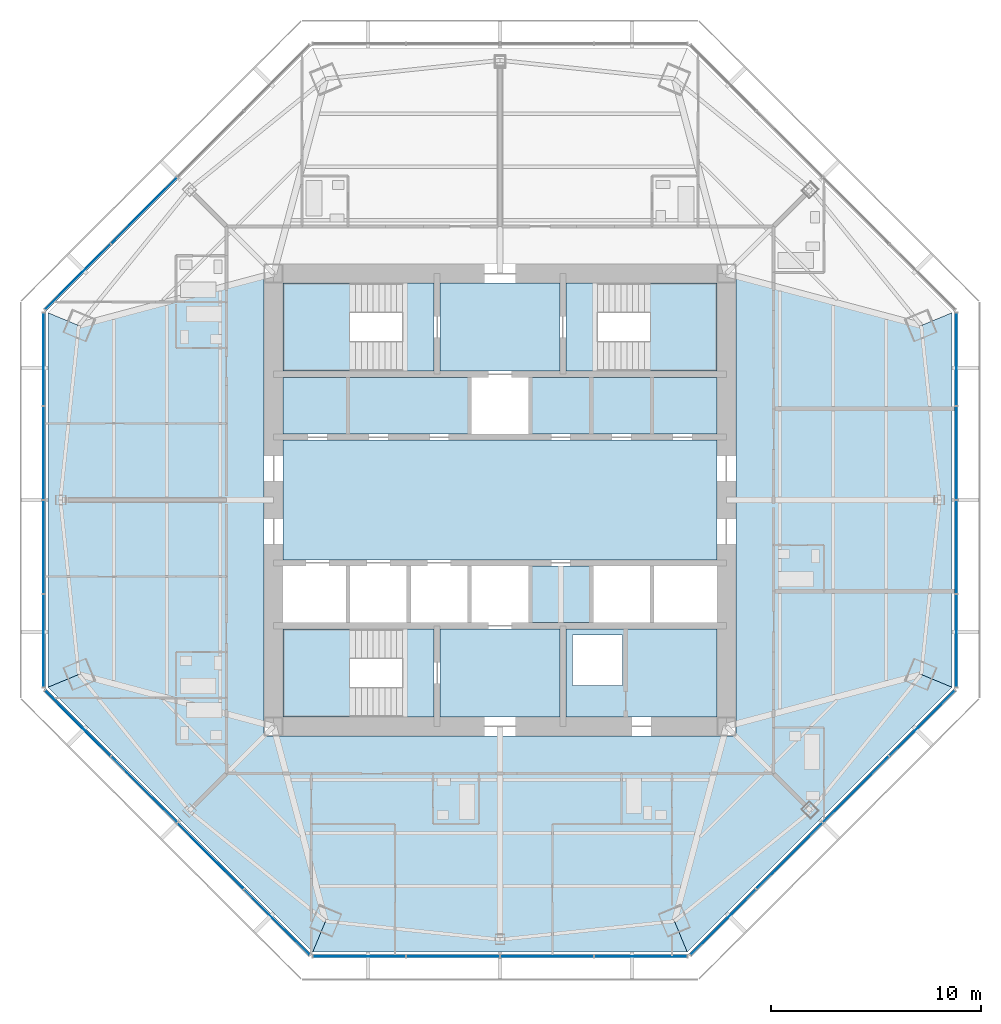
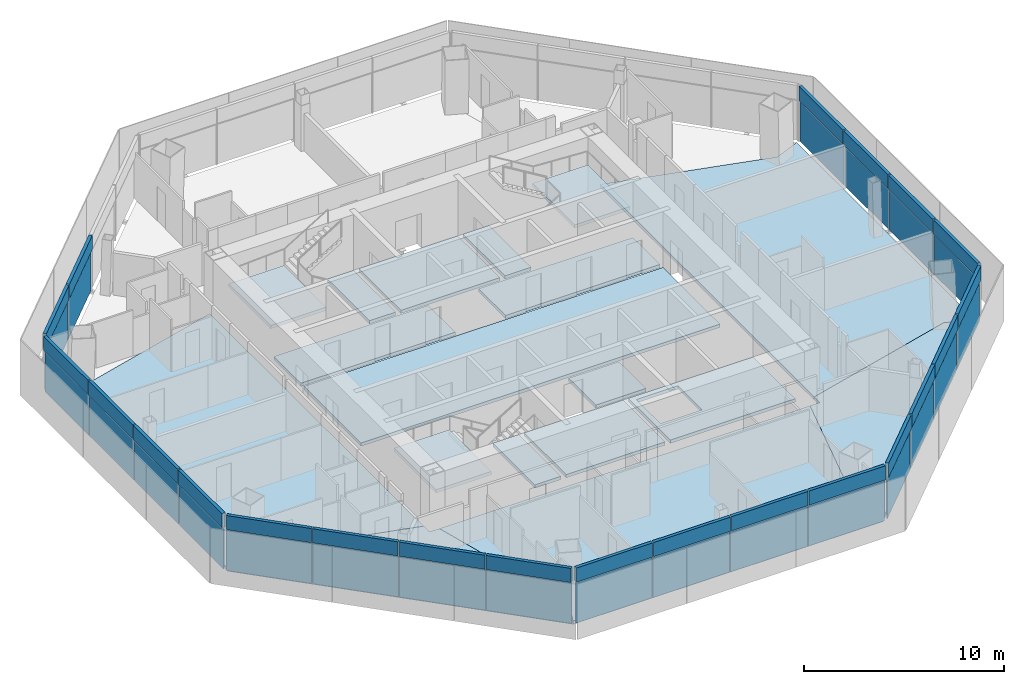
# One storey, part 7 of 15: 44 plates, 18 slabs, 9 elements without a shape of their own.
"""IFC4 building model written with IfcOpenShell, lengths in metres."""

from ifc_helpers import new_model, si_unit, direction, frame, origin, origin_2d, place, context, subcontext, project, spatial, polyline, rectangle, outline, extrude, source, transform, mapped, material, layer, layer_set, type_object, type_shapes, element, aggregate, save


model = new_model("IFC4")

# Units and contexts
model_context = context("Model", 3, precision=1e-05, world=origin(), true_north=direction((0.0, 1.0)))
body_context = subcontext(model_context, "Body", "Model", "MODEL_VIEW")
ifc_project = project(units=[si_unit("LENGTHUNIT", "METRE"), si_unit("AREAUNIT", "SQUARE_METRE"), si_unit("VOLUMEUNIT", "CUBIC_METRE"), si_unit("PLANEANGLEUNIT", "RADIAN"), si_unit("MASSUNIT", "GRAM", prefix="KILO")], contexts=[model_context])

# Site, building, storey
site_placement = place(None, origin())
site = spatial("IfcSite", under=ifc_project, at=site_placement, CompositionType="ELEMENT")
building_placement = place(site_placement, origin())
building = spatial("IfcBuilding", under=site, at=building_placement, Name="Mashrafa Tower", CompositionType="ELEMENT")
storey_placement = place(building_placement, frame((0.0, 0.0, 221.0)))
storey = spatial("IfcBuildingStorey", under=building, at=storey_placement, Name="L51", CompositionType="ELEMENT", Elevation=221.0)

# Slabs
ifc_material_1 = material(Name="Concrete C35/45", Category="concrete")
ifc_layer_1 = layer(ifc_material_1, 0.199951171875)
ifc_layer_set_1 = layer_set([ifc_layer_1], Name="Floor slab 200")
slab_type_1 = type_object("IfcSlabType", Name="Floor slab 200", PredefinedType="FLOOR", material=ifc_layer_set_1)
slab_1_placement = place(storey_placement, frame((0.0, 0.0, -0.199951171875)))
element("IfcSlab", 1, at=slab_1_placement, inside=storey, type_object=slab_type_1, Name="Floor slab L51 east bay", PredefinedType="FLOOR", context=body_context, shape_type="SweptSolid", body=[
    extrude(outline(polyline([(21.56298828125, -8.931640625), (20.09033203125, -8.32177734375), (11.25, -10.679931640625), (11.25, 10.679931640625), (20.09033203125, 8.32177734375), (21.56298828125, 8.931640625), (21.56298828125, -8.931640625)])), origin(), (0.0, 0.0, 1.0), 0.199951171875),
])
slab_2_placement = place(storey_placement, frame((0.0, 0.0, -0.199951171875)))
element("IfcSlab", 2, at=slab_2_placement, inside=storey, type_object=slab_type_1, Name="Floor slab L51 west bay", PredefinedType="FLOOR", context=body_context, shape_type="SweptSolid", body=[
    extrude(outline(polyline([(-21.56298828125, 8.931640625), (-20.09033203125, 8.32177734375), (-11.25, 10.679931640625), (-11.25, -10.679931640625), (-20.09033203125, -8.32177734375), (-21.56298828125, -8.931640625), (-21.56298828125, 8.931640625)])), origin(), (0.0, 0.0, 1.0), 0.199951171875),
])
slab_3_placement = place(storey_placement, frame((0.0, 0.0, -0.199951171875)))
element("IfcSlab", 3, at=slab_3_placement, inside=storey, type_object=slab_type_1, Name="Floor slab L51 south-west bay", PredefinedType="FLOOR", context=body_context, shape_type="SweptSolid", body=[
    extrude(outline(polyline([(-8.931640625, -21.56298828125), (-21.56298828125, -8.931640625), (-21.56298828125, -8.931640625), (-20.09033203125, -8.32177734375), (-11.25, -10.679931640625), (-11.25, -11.25), (-10.679931640625, -11.25), (-8.32177734375, -20.09033203125), (-8.931640625, -21.56298828125), (-8.931640625, -21.56298828125)])), origin(), (0.0, 0.0, 1.0), 0.199951171875),
])
slab_4_placement = place(storey_placement, frame((0.0, 0.0, -0.199951171875)))
element("IfcSlab", 4, at=slab_4_placement, inside=storey, type_object=slab_type_1, Name="Floor slab L51 south bay", PredefinedType="FLOOR", context=body_context, shape_type="SweptSolid", body=[
    extrude(outline(polyline([(-8.931640625, -21.56298828125), (-8.32177734375, -20.09033203125), (-10.679931640625, -11.25), (10.679931640625, -11.25), (8.32177734375, -20.09033203125), (8.931640625, -21.56298828125), (-8.931640625, -21.56298828125)])), origin(), (0.0, 0.0, 1.0), 0.199951171875),
])
slab_5_placement = place(storey_placement, frame((0.0, 0.0, -0.199951171875)))
element("IfcSlab", 5, at=slab_5_placement, inside=storey, type_object=slab_type_1, Name="Floor slab L51 south-east bay", PredefinedType="FLOOR", context=body_context, shape_type="SweptSolid", body=[
    extrude(outline(polyline([(8.931640625, -21.56298828125), (8.32177734375, -20.09033203125), (10.679931640625, -11.25), (11.25, -11.25), (11.25, -10.679931640625), (20.09033203125, -8.32177734375), (21.56298828125, -8.931640625), (21.56298828125, -8.931640625), (8.931640625, -21.56298828125), (8.931640625, -21.56298828125)])), origin(), (0.0, 0.0, 1.0), 0.199951171875),
])
slab_6_placement = place(storey_placement, frame((0.0, 0.0, -0.199951171875)))
element("IfcSlab", 6, at=slab_6_placement, inside=storey, type_object=slab_type_1, Name="Core floor lift hall L51", PredefinedType="FLOOR", context=body_context, shape_type="SweptSolid", body=[
    extrude(outline(polyline([(-10.35009765625, 2.85009765625), (10.35009765625, 2.85009765625), (10.35009765625, -2.85009765625), (-10.35009765625, -2.85009765625), (-10.35009765625, 2.85009765625)])), origin(), (0.0, 0.0, 1.0), 0.199951171875),
])
slab_7_placement = place(storey_placement, frame((0.0, 0.0, -0.199951171875)))
element("IfcSlab", 7, at=slab_7_placement, inside=storey, type_object=slab_type_1, Name="Core floor riser and electrical band L51", PredefinedType="FLOOR", context=body_context, shape_type="SweptSolid", body=[
    extrude(outline(polyline([(10.35009765625, -6.14990234375), (10.35009765625, -10.35009765625), (3.14990234375, -10.35009765625), (3.14990234375, -6.14990234375), (10.35009765625, -6.14990234375)]), holes=[polyline([(3.449951171875, -8.85009765625), (5.85009765625, -8.85009765625), (5.85009765625, -6.449951171875), (3.449951171875, -6.449951171875), (3.449951171875, -8.85009765625)])]), origin(), (0.0, 0.0, 1.0), 0.199951171875),
])
slab_8_placement = place(storey_placement, frame((0.0, 0.0, -0.199951171875)))
element("IfcSlab", 8, at=slab_8_placement, inside=storey, type_object=slab_type_1, Name="Core floor lift cell L51", PredefinedType="FLOOR", context=body_context, shape_type="SweptSolid", body=[
    extrude(outline(polyline([(-10.35009765625, 5.85009765625), (-1.449951171875, 5.85009765625), (-1.449951171875, 3.14990234375), (-10.35009765625, 3.14990234375), (-10.35009765625, 5.85009765625)])), origin(), (0.0, 0.0, 1.0), 0.199951171875),
])
slab_9_placement = place(storey_placement, frame((0.0, 0.0, -0.199951171875)))
element("IfcSlab", 9, at=slab_9_placement, inside=storey, type_object=slab_type_1, Name="Core floor lift cell L51", PredefinedType="FLOOR", context=body_context, shape_type="SweptSolid", body=[
    extrude(outline(polyline([(1.449951171875, 5.85009765625), (10.35009765625, 5.85009765625), (10.35009765625, 3.14990234375), (1.449951171875, 3.14990234375), (1.449951171875, 5.85009765625)])), origin(), (0.0, 0.0, 1.0), 0.199951171875),
])
slab_10_placement = place(storey_placement, frame((0.0, 0.0, -0.199951171875)))
element("IfcSlab", 10, at=slab_10_placement, inside=storey, type_object=slab_type_1, Name="Core floor fire-fighting lobby south L51", PredefinedType="FLOOR", context=body_context, shape_type="SweptSolid", body=[
    extrude(outline(polyline([(2.85009765625, -6.14990234375), (2.85009765625, -10.35009765625), (-2.85009765625, -10.35009765625), (-2.85009765625, -6.14990234375), (2.85009765625, -6.14990234375)])), origin(), (0.0, 0.0, 1.0), 0.199951171875),
])
slab_11_placement = place(storey_placement, frame((0.0, 0.0, -0.199951171875)))
element("IfcSlab", 11, at=slab_11_placement, inside=storey, type_object=slab_type_1, Name="Core floor fire-fighting lobby north L51", PredefinedType="FLOOR", context=body_context, shape_type="SweptSolid", body=[
    extrude(outline(polyline([(-2.85009765625, 10.35009765625), (2.85009765625, 10.35009765625), (2.85009765625, 6.14990234375), (-2.85009765625, 6.14990234375), (-2.85009765625, 10.35009765625)])), origin(), (0.0, 0.0, 1.0), 0.199951171875),
])
slab_12_placement = place(storey_placement, frame((0.0, 0.0, -0.199951171875)))
element("IfcSlab", 12, at=slab_12_placement, inside=storey, type_object=slab_type_1, Name="Core floor lift cell L51", PredefinedType="FLOOR", context=body_context, shape_type="SweptSolid", body=[
    extrude(outline(polyline([(4.35009765625, -3.14990234375), (4.35009765625, -5.85009765625), (1.449951171875, -5.85009765625), (1.449951171875, -3.14990234375), (4.35009765625, -3.14990234375)])), origin(), (0.0, 0.0, 1.0), 0.199951171875),
])

# Stair, slabs
ifc_material_2 = material(Name="Exit stair 1400")
stair_type = type_object("IfcStairType", Name="Exit stair 1400", PredefinedType="HALF_TURN_STAIR", material=ifc_material_2)
stair_1_placement = place(storey_placement, origin())
stair_1 = element("IfcStair", 13, at=stair_1_placement, inside=storey, type_object=stair_type, Name="Stair S1 L51", PredefinedType="HALF_TURN_STAIR")
ifc_material_3 = material(Name="Concrete C32/40", Category="concrete")
ifc_layer_2 = layer(ifc_material_3, 0.199951171875)
ifc_layer_set_2 = layer_set([ifc_layer_2], Name="Stair landing 200")
slab_type_2 = type_object("IfcSlabType", Name="Stair landing 200", PredefinedType="LANDING", material=ifc_layer_set_2)
slab_13_placement = place(storey_placement, frame((0.0, 0.0, -0.199951171875)))
slab_13 = element("IfcSlab", 14, at=slab_13_placement, type_object=slab_type_2, Name="S1 landing 1", PredefinedType="LANDING", context=body_context, shape_type="SweptSolid", body=[
    extrude(outline(polyline([(-4.659912109375, 6.14990234375), (-3.14990234375, 6.14990234375), (-3.14990234375, 10.35009765625), (-4.659912109375, 10.35009765625), (-4.659912109375, 6.14990234375)])), origin(), (0.0, 0.0, 1.0), 0.199951171875),
])
slab_14_placement = place(storey_placement, frame((0.0, 0.0, 1.5)))
slab_14 = element("IfcSlab", 15, at=slab_14_placement, type_object=slab_type_2, Name="S1 landing 2", PredefinedType="LANDING", context=body_context, shape_type="SweptSolid", body=[
    extrude(outline(polyline([(-10.35009765625, 6.14990234375), (-7.159912109375, 6.14990234375), (-7.159912109375, 10.35009765625), (-10.35009765625, 10.35009765625), (-10.35009765625, 6.14990234375)])), origin(), (0.0, 0.0, 1.0), 0.199951171875),
])
aggregate(stair_1, [slab_13, slab_14])

stair_2_placement = place(storey_placement, origin())
stair_2 = element("IfcStair", 16, at=stair_2_placement, inside=storey, type_object=stair_type, Name="Stair S2 L51", PredefinedType="HALF_TURN_STAIR")
slab_15_placement = place(storey_placement, frame((0.0, 0.0, -0.199951171875)))
slab_15 = element("IfcSlab", 17, at=slab_15_placement, type_object=slab_type_2, Name="S2 landing 1", PredefinedType="LANDING", context=body_context, shape_type="SweptSolid", body=[
    extrude(outline(polyline([(3.14990234375, 6.14990234375), (4.659912109375, 6.14990234375), (4.659912109375, 10.35009765625), (3.14990234375, 10.35009765625), (3.14990234375, 6.14990234375)])), origin(), (0.0, 0.0, 1.0), 0.199951171875),
])
slab_16_placement = place(storey_placement, frame((0.0, 0.0, 1.5)))
slab_16 = element("IfcSlab", 18, at=slab_16_placement, type_object=slab_type_2, Name="S2 landing 2", PredefinedType="LANDING", context=body_context, shape_type="SweptSolid", body=[
    extrude(outline(polyline([(7.159912109375, 6.14990234375), (10.35009765625, 6.14990234375), (10.35009765625, 10.35009765625), (7.159912109375, 10.35009765625), (7.159912109375, 6.14990234375)])), origin(), (0.0, 0.0, 1.0), 0.199951171875),
])
aggregate(stair_2, [slab_15, slab_16])

stair_3_placement = place(storey_placement, origin())
stair_3 = element("IfcStair", 19, at=stair_3_placement, inside=storey, type_object=stair_type, Name="Stair S3 L51", PredefinedType="HALF_TURN_STAIR")
slab_17_placement = place(storey_placement, frame((0.0, 0.0, -0.199951171875)))
slab_17 = element("IfcSlab", 20, at=slab_17_placement, type_object=slab_type_2, Name="S3 landing 1", PredefinedType="LANDING", context=body_context, shape_type="SweptSolid", body=[
    extrude(outline(polyline([(-4.659912109375, -10.35009765625), (-3.14990234375, -10.35009765625), (-3.14990234375, -6.14990234375), (-4.659912109375, -6.14990234375), (-4.659912109375, -10.35009765625)])), origin(), (0.0, 0.0, 1.0), 0.199951171875),
])
slab_18_placement = place(storey_placement, frame((0.0, 0.0, 1.5)))
slab_18 = element("IfcSlab", 21, at=slab_18_placement, type_object=slab_type_2, Name="S3 landing 2", PredefinedType="LANDING", context=body_context, shape_type="SweptSolid", body=[
    extrude(outline(polyline([(-10.35009765625, -10.35009765625), (-7.159912109375, -10.35009765625), (-7.159912109375, -6.14990234375), (-10.35009765625, -6.14990234375), (-10.35009765625, -10.35009765625)])), origin(), (0.0, 0.0, 1.0), 0.199951171875),
])
aggregate(stair_3, [slab_17, slab_18])

# Curtain wall, plates
ifc_material_4 = material(Name="Unitised aluminium curtain wall", Category="aluminium")
curtain_wall_type = type_object("IfcCurtainWallType", Name="Apartment curtain wall, zone 3 CW-C 180 deep", PredefinedType="NOTDEFINED", material=ifc_material_4)
curtain_wall_1_placement = place(storey_placement, origin())
curtain_wall_1 = element("IfcCurtainWall", 22, at=curtain_wall_1_placement, inside=storey, type_object=curtain_wall_type, Name="Apartment curtain wall, zone 3 L51 east", PredefinedType="NOTDEFINED")
ifc_material_5 = material(Name="Insulated double glazing, acoustic", Category="glass")
ifc_layer_3 = layer(ifc_material_5, 0.028076171875)
ifc_layer_set_3 = layer_set([ifc_layer_3], Name="Vision panel CW-C 28")
plate_type_1 = type_object("IfcPlateType", Name="Vision panel CW-C 28", PredefinedType="CURTAIN_PANEL", material=ifc_layer_set_3)
shared_shape_1 = source(origin(), body_context, "Body", "SweptSolid", [
    extrude(rectangle(XDim=4.3935546875, YDim=0.028076171875, at=origin_2d()), origin(), (0.0, 0.0, 1.0), 2.46240234375),
])
plate_1_placement = place(storey_placement, frame((21.762939453125, -6.71044921875, 0.0), z_axis=(0.0, 0.0, 1.0), x_axis=(0.0, 1.0, 0.0)))
plate_1 = element("IfcPlate", 23, at=plate_1_placement, type_object=plate_type_1, Name="CW-C vision panel 1", PredefinedType="CURTAIN_PANEL", context=body_context, shape_type="MappedRepresentation", body=[
    mapped(shared_shape_1, transform((0.0, 0.0, 0.0))),
])
plate_2_placement = place(storey_placement, frame((21.762939453125, 6.71044921875, 0.0), z_axis=(0.0, 0.0, 1.0), x_axis=(0.0, 1.0, 0.0)))
plate_2 = element("IfcPlate", 24, at=plate_2_placement, type_object=plate_type_1, Name="CW-C vision panel 4", PredefinedType="CURTAIN_PANEL", context=body_context, shape_type="MappedRepresentation", body=[
    mapped(shared_shape_1, transform((0.0, 0.0, 0.0))),
])

# Curtain wall, plate
curtain_wall_2_placement = place(storey_placement, origin())
curtain_wall_2 = element("IfcCurtainWall", 25, at=curtain_wall_2_placement, inside=storey, type_object=curtain_wall_type, Name="Apartment curtain wall, zone 3 L51 north-west", PredefinedType="NOTDEFINED")
plate_3_placement = place(storey_placement, frame((-20.1337890625, 10.643798828125, 0.0), z_axis=(0.0, 0.0, 1.0), x_axis=(-0.707106781187, -0.707106781187, 0.0)))
plate_3 = element("IfcPlate", 26, at=plate_3_placement, type_object=plate_type_1, Name="CW-C vision panel 4", PredefinedType="CURTAIN_PANEL", context=body_context, shape_type="MappedRepresentation", body=[
    mapped(shared_shape_1, transform((0.0, 0.0, 0.0))),
])

# Curtain wall, plates
curtain_wall_3_placement = place(storey_placement, origin())
curtain_wall_3 = element("IfcCurtainWall", 27, at=curtain_wall_3_placement, inside=storey, type_object=curtain_wall_type, Name="Apartment curtain wall, zone 3 L51 west", PredefinedType="NOTDEFINED")
plate_4_placement = place(storey_placement, frame((-21.762939453125, 6.71044921875, 0.0), z_axis=(0.0, 0.0, 1.0), x_axis=(0.0, -1.0, 0.0)))
plate_4 = element("IfcPlate", 28, at=plate_4_placement, type_object=plate_type_1, Name="CW-C vision panel 1", PredefinedType="CURTAIN_PANEL", context=body_context, shape_type="MappedRepresentation", body=[
    mapped(shared_shape_1, transform((0.0, 0.0, 0.0))),
])
plate_5_placement = place(storey_placement, frame((-21.762939453125, -6.71044921875, 0.0), z_axis=(0.0, 0.0, 1.0), x_axis=(0.0, -1.0, 0.0)))
plate_5 = element("IfcPlate", 29, at=plate_5_placement, type_object=plate_type_1, Name="CW-C vision panel 4", PredefinedType="CURTAIN_PANEL", context=body_context, shape_type="MappedRepresentation", body=[
    mapped(shared_shape_1, transform((0.0, 0.0, 0.0))),
])

curtain_wall_4_placement = place(storey_placement, origin())
curtain_wall_4 = element("IfcCurtainWall", 30, at=curtain_wall_4_placement, inside=storey, type_object=curtain_wall_type, Name="Apartment curtain wall, zone 3 L51 south-west", PredefinedType="NOTDEFINED")
plate_6_placement = place(storey_placement, frame((-20.1337890625, -10.643798828125, 0.0), z_axis=(0.0, 0.0, 1.0), x_axis=(0.707106781187, -0.707106781187, 0.0)))
plate_6 = element("IfcPlate", 31, at=plate_6_placement, type_object=plate_type_1, Name="CW-C vision panel 1", PredefinedType="CURTAIN_PANEL", context=body_context, shape_type="MappedRepresentation", body=[
    mapped(shared_shape_1, transform((0.0, 0.0, 0.0))),
])
plate_7_placement = place(storey_placement, frame((-10.643798828125, -20.1337890625, 0.0), z_axis=(0.0, 0.0, 1.0), x_axis=(0.707106781187, -0.707106781187, 0.0)))
plate_7 = element("IfcPlate", 32, at=plate_7_placement, type_object=plate_type_1, Name="CW-C vision panel 4", PredefinedType="CURTAIN_PANEL", context=body_context, shape_type="MappedRepresentation", body=[
    mapped(shared_shape_1, transform((0.0, 0.0, 0.0))),
])

curtain_wall_5_placement = place(storey_placement, origin())
curtain_wall_5 = element("IfcCurtainWall", 33, at=curtain_wall_5_placement, inside=storey, type_object=curtain_wall_type, Name="Apartment curtain wall, zone 3 L51 south", PredefinedType="NOTDEFINED")
plate_8_placement = place(storey_placement, frame((-6.71044921875, -21.762939453125, 0.0), z_axis=(0.0, 0.0, 1.0), x_axis=(1.0, 0.0, 0.0)))
plate_8 = element("IfcPlate", 34, at=plate_8_placement, type_object=plate_type_1, Name="CW-C vision panel 1", PredefinedType="CURTAIN_PANEL", context=body_context, shape_type="MappedRepresentation", body=[
    mapped(shared_shape_1, transform((0.0, 0.0, 0.0))),
])
plate_9_placement = place(storey_placement, frame((6.71044921875, -21.762939453125, 0.0), z_axis=(0.0, 0.0, 1.0), x_axis=(1.0, 0.0, 0.0)))
plate_9 = element("IfcPlate", 35, at=plate_9_placement, type_object=plate_type_1, Name="CW-C vision panel 4", PredefinedType="CURTAIN_PANEL", context=body_context, shape_type="MappedRepresentation", body=[
    mapped(shared_shape_1, transform((0.0, 0.0, 0.0))),
])

curtain_wall_6_placement = place(storey_placement, origin())
curtain_wall_6 = element("IfcCurtainWall", 36, at=curtain_wall_6_placement, inside=storey, type_object=curtain_wall_type, Name="Apartment curtain wall, zone 3 L51 south-east", PredefinedType="NOTDEFINED")
plate_10_placement = place(storey_placement, frame((10.643798828125, -20.1337890625, 0.0), z_axis=(0.0, 0.0, 1.0), x_axis=(0.707106781187, 0.707106781187, 0.0)))
plate_10 = element("IfcPlate", 37, at=plate_10_placement, type_object=plate_type_1, Name="CW-C vision panel 1", PredefinedType="CURTAIN_PANEL", context=body_context, shape_type="MappedRepresentation", body=[
    mapped(shared_shape_1, transform((0.0, 0.0, 0.0))),
])
plate_11_placement = place(storey_placement, frame((20.1337890625, -10.643798828125, 0.0), z_axis=(0.0, 0.0, 1.0), x_axis=(0.707106781187, 0.707106781187, 0.0)))
plate_11 = element("IfcPlate", 38, at=plate_11_placement, type_object=plate_type_1, Name="CW-C vision panel 4", PredefinedType="CURTAIN_PANEL", context=body_context, shape_type="MappedRepresentation", body=[
    mapped(shared_shape_1, transform((0.0, 0.0, 0.0))),
])

# Plate
ifc_material_6 = material(Name="Insulated bronze aluminium spandrel panel", Category="aluminium")
ifc_layer_4 = layer(ifc_material_6, 0.179931640625)
ifc_layer_set_4 = layer_set([ifc_layer_4], Name="Spandrel panel CW-C 180")
plate_type_2 = type_object("IfcPlateType", Name="Spandrel panel CW-C 180", PredefinedType="CURTAIN_PANEL", material=ifc_layer_set_4)
shared_shape_2 = source(origin(), body_context, "Body", "SweptSolid", [
    extrude(rectangle(XDim=4.3935546875, YDim=0.179931640625, at=origin_2d()), origin(), (0.0, 0.0, 1.0), 0.862548828125),
])
plate_12_placement = place(storey_placement, frame((21.762939453125, -6.71044921875, 2.53759765625), z_axis=(0.0, 0.0, 1.0), x_axis=(0.0, 1.0, 0.0)))
plate_12 = element("IfcPlate", 39, at=plate_12_placement, type_object=plate_type_2, Name="CW-C spandrel panel 1", PredefinedType="CURTAIN_PANEL", context=body_context, shape_type="MappedRepresentation", body=[
    mapped(shared_shape_2, transform((0.0, 0.0, 0.0))),
])

plate_13_placement = place(storey_placement, frame((21.762939453125, 6.71044921875, 2.53759765625), z_axis=(0.0, 0.0, 1.0), x_axis=(0.0, 1.0, 0.0)))
plate_13 = element("IfcPlate", 40, at=plate_13_placement, type_object=plate_type_2, Name="CW-C spandrel panel 4", PredefinedType="CURTAIN_PANEL", context=body_context, shape_type="MappedRepresentation", body=[
    mapped(shared_shape_2, transform((0.0, 0.0, 0.0))),
])

plate_14_placement = place(storey_placement, frame((-20.1337890625, 10.643798828125, 2.53759765625), z_axis=(0.0, 0.0, 1.0), x_axis=(-0.707106781187, -0.707106781187, 0.0)))
plate_14 = element("IfcPlate", 41, at=plate_14_placement, type_object=plate_type_2, Name="CW-C spandrel panel 4", PredefinedType="CURTAIN_PANEL", context=body_context, shape_type="MappedRepresentation", body=[
    mapped(shared_shape_2, transform((0.0, 0.0, 0.0))),
])

plate_15_placement = place(storey_placement, frame((-21.762939453125, 6.71044921875, 2.53759765625), z_axis=(0.0, 0.0, 1.0), x_axis=(0.0, -1.0, 0.0)))
plate_15 = element("IfcPlate", 42, at=plate_15_placement, type_object=plate_type_2, Name="CW-C spandrel panel 1", PredefinedType="CURTAIN_PANEL", context=body_context, shape_type="MappedRepresentation", body=[
    mapped(shared_shape_2, transform((0.0, 0.0, 0.0))),
])

plate_16_placement = place(storey_placement, frame((-21.762939453125, -6.71044921875, 2.53759765625), z_axis=(0.0, 0.0, 1.0), x_axis=(0.0, -1.0, 0.0)))
plate_16 = element("IfcPlate", 43, at=plate_16_placement, type_object=plate_type_2, Name="CW-C spandrel panel 4", PredefinedType="CURTAIN_PANEL", context=body_context, shape_type="MappedRepresentation", body=[
    mapped(shared_shape_2, transform((0.0, 0.0, 0.0))),
])

plate_17_placement = place(storey_placement, frame((-20.1337890625, -10.643798828125, 2.53759765625), z_axis=(0.0, 0.0, 1.0), x_axis=(0.707106781187, -0.707106781187, 0.0)))
plate_17 = element("IfcPlate", 44, at=plate_17_placement, type_object=plate_type_2, Name="CW-C spandrel panel 1", PredefinedType="CURTAIN_PANEL", context=body_context, shape_type="MappedRepresentation", body=[
    mapped(shared_shape_2, transform((0.0, 0.0, 0.0))),
])

plate_18_placement = place(storey_placement, frame((-10.643798828125, -20.1337890625, 2.53759765625), z_axis=(0.0, 0.0, 1.0), x_axis=(0.707106781187, -0.707106781187, 0.0)))
plate_18 = element("IfcPlate", 45, at=plate_18_placement, type_object=plate_type_2, Name="CW-C spandrel panel 4", PredefinedType="CURTAIN_PANEL", context=body_context, shape_type="MappedRepresentation", body=[
    mapped(shared_shape_2, transform((0.0, 0.0, 0.0))),
])

plate_19_placement = place(storey_placement, frame((-6.71044921875, -21.762939453125, 2.53759765625), z_axis=(0.0, 0.0, 1.0), x_axis=(1.0, 0.0, 0.0)))
plate_19 = element("IfcPlate", 46, at=plate_19_placement, type_object=plate_type_2, Name="CW-C spandrel panel 1", PredefinedType="CURTAIN_PANEL", context=body_context, shape_type="MappedRepresentation", body=[
    mapped(shared_shape_2, transform((0.0, 0.0, 0.0))),
])

plate_20_placement = place(storey_placement, frame((6.71044921875, -21.762939453125, 2.53759765625), z_axis=(0.0, 0.0, 1.0), x_axis=(1.0, 0.0, 0.0)))
plate_20 = element("IfcPlate", 47, at=plate_20_placement, type_object=plate_type_2, Name="CW-C spandrel panel 4", PredefinedType="CURTAIN_PANEL", context=body_context, shape_type="MappedRepresentation", body=[
    mapped(shared_shape_2, transform((0.0, 0.0, 0.0))),
])

plate_21_placement = place(storey_placement, frame((10.643798828125, -20.1337890625, 2.53759765625), z_axis=(0.0, 0.0, 1.0), x_axis=(0.707106781187, 0.707106781187, 0.0)))
plate_21 = element("IfcPlate", 48, at=plate_21_placement, type_object=plate_type_2, Name="CW-C spandrel panel 1", PredefinedType="CURTAIN_PANEL", context=body_context, shape_type="MappedRepresentation", body=[
    mapped(shared_shape_2, transform((0.0, 0.0, 0.0))),
])

plate_22_placement = place(storey_placement, frame((20.1337890625, -10.643798828125, 2.53759765625), z_axis=(0.0, 0.0, 1.0), x_axis=(0.707106781187, 0.707106781187, 0.0)))
plate_22 = element("IfcPlate", 49, at=plate_22_placement, type_object=plate_type_2, Name="CW-C spandrel panel 4", PredefinedType="CURTAIN_PANEL", context=body_context, shape_type="MappedRepresentation", body=[
    mapped(shared_shape_2, transform((0.0, 0.0, 0.0))),
])

shared_shape_3 = source(origin(), body_context, "Body", "SweptSolid", [
    extrude(rectangle(XDim=4.423583984375, YDim=0.028076171875, at=origin_2d()), origin(), (0.0, 0.0, 1.0), 2.46240234375),
])
type_shapes(plate_type_1, [shared_shape_1, shared_shape_3])
plate_23_placement = place(storey_placement, frame((21.762939453125, -2.24169921875, 0.0), z_axis=(0.0, 0.0, 1.0), x_axis=(0.0, 1.0, 0.0)))
plate_23 = element("IfcPlate", 50, at=plate_23_placement, type_object=plate_type_1, Name="CW-C vision panel 2", PredefinedType="CURTAIN_PANEL", context=body_context, shape_type="MappedRepresentation", body=[
    mapped(shared_shape_3, transform((0.0, 0.0, 0.0))),
])

plate_24_placement = place(storey_placement, frame((21.762939453125, 2.24169921875, 0.0), z_axis=(0.0, 0.0, 1.0), x_axis=(0.0, 1.0, 0.0)))
plate_24 = element("IfcPlate", 51, at=plate_24_placement, type_object=plate_type_1, Name="CW-C vision panel 3", PredefinedType="CURTAIN_PANEL", context=body_context, shape_type="MappedRepresentation", body=[
    mapped(shared_shape_3, transform((0.0, 0.0, 0.0))),
])

plate_25_placement = place(storey_placement, frame((-16.973876953125, 13.803466796875, 0.0), z_axis=(0.0, 0.0, 1.0), x_axis=(-0.707106781187, -0.707106781187, 0.0)))
plate_25 = element("IfcPlate", 52, at=plate_25_placement, type_object=plate_type_1, Name="CW-C vision panel 3", PredefinedType="CURTAIN_PANEL", context=body_context, shape_type="MappedRepresentation", body=[
    mapped(shared_shape_3, transform((0.0, 0.0, 0.0))),
])

plate_26_placement = place(storey_placement, frame((-21.762939453125, 2.24169921875, 0.0), z_axis=(0.0, 0.0, 1.0), x_axis=(0.0, -1.0, 0.0)))
plate_26 = element("IfcPlate", 53, at=plate_26_placement, type_object=plate_type_1, Name="CW-C vision panel 2", PredefinedType="CURTAIN_PANEL", context=body_context, shape_type="MappedRepresentation", body=[
    mapped(shared_shape_3, transform((0.0, 0.0, 0.0))),
])

plate_27_placement = place(storey_placement, frame((-21.762939453125, -2.24169921875, 0.0), z_axis=(0.0, 0.0, 1.0), x_axis=(0.0, -1.0, 0.0)))
plate_27 = element("IfcPlate", 54, at=plate_27_placement, type_object=plate_type_1, Name="CW-C vision panel 3", PredefinedType="CURTAIN_PANEL", context=body_context, shape_type="MappedRepresentation", body=[
    mapped(shared_shape_3, transform((0.0, 0.0, 0.0))),
])

plate_28_placement = place(storey_placement, frame((-16.973876953125, -13.803466796875, 0.0), z_axis=(0.0, 0.0, 1.0), x_axis=(0.707106781187, -0.707106781187, 0.0)))
plate_28 = element("IfcPlate", 55, at=plate_28_placement, type_object=plate_type_1, Name="CW-C vision panel 2", PredefinedType="CURTAIN_PANEL", context=body_context, shape_type="MappedRepresentation", body=[
    mapped(shared_shape_3, transform((0.0, 0.0, 0.0))),
])

plate_29_placement = place(storey_placement, frame((-13.803466796875, -16.973876953125, 0.0), z_axis=(0.0, 0.0, 1.0), x_axis=(0.707106781187, -0.707106781187, 0.0)))
plate_29 = element("IfcPlate", 56, at=plate_29_placement, type_object=plate_type_1, Name="CW-C vision panel 3", PredefinedType="CURTAIN_PANEL", context=body_context, shape_type="MappedRepresentation", body=[
    mapped(shared_shape_3, transform((0.0, 0.0, 0.0))),
])

plate_30_placement = place(storey_placement, frame((-2.24169921875, -21.762939453125, 0.0), z_axis=(0.0, 0.0, 1.0), x_axis=(1.0, 0.0, 0.0)))
plate_30 = element("IfcPlate", 57, at=plate_30_placement, type_object=plate_type_1, Name="CW-C vision panel 2", PredefinedType="CURTAIN_PANEL", context=body_context, shape_type="MappedRepresentation", body=[
    mapped(shared_shape_3, transform((0.0, 0.0, 0.0))),
])

plate_31_placement = place(storey_placement, frame((2.24169921875, -21.762939453125, 0.0), z_axis=(0.0, 0.0, 1.0), x_axis=(1.0, 0.0, 0.0)))
plate_31 = element("IfcPlate", 58, at=plate_31_placement, type_object=plate_type_1, Name="CW-C vision panel 3", PredefinedType="CURTAIN_PANEL", context=body_context, shape_type="MappedRepresentation", body=[
    mapped(shared_shape_3, transform((0.0, 0.0, 0.0))),
])

plate_32_placement = place(storey_placement, frame((13.803466796875, -16.973876953125, 0.0), z_axis=(0.0, 0.0, 1.0), x_axis=(0.707106781187, 0.707106781187, 0.0)))
plate_32 = element("IfcPlate", 59, at=plate_32_placement, type_object=plate_type_1, Name="CW-C vision panel 2", PredefinedType="CURTAIN_PANEL", context=body_context, shape_type="MappedRepresentation", body=[
    mapped(shared_shape_3, transform((0.0, 0.0, 0.0))),
])

plate_33_placement = place(storey_placement, frame((16.973876953125, -13.803466796875, 0.0), z_axis=(0.0, 0.0, 1.0), x_axis=(0.707106781187, 0.707106781187, 0.0)))
plate_33 = element("IfcPlate", 60, at=plate_33_placement, type_object=plate_type_1, Name="CW-C vision panel 3", PredefinedType="CURTAIN_PANEL", context=body_context, shape_type="MappedRepresentation", body=[
    mapped(shared_shape_3, transform((0.0, 0.0, 0.0))),
])

shared_shape_4 = source(origin(), body_context, "Body", "SweptSolid", [
    extrude(rectangle(XDim=4.423583984375, YDim=0.179931640625, at=origin_2d()), origin(), (0.0, 0.0, 1.0), 0.862548828125),
])
type_shapes(plate_type_2, [shared_shape_2, shared_shape_4])
plate_34_placement = place(storey_placement, frame((21.762939453125, -2.24169921875, 2.53759765625), z_axis=(0.0, 0.0, 1.0), x_axis=(0.0, 1.0, 0.0)))
plate_34 = element("IfcPlate", 61, at=plate_34_placement, type_object=plate_type_2, Name="CW-C spandrel panel 2", PredefinedType="CURTAIN_PANEL", context=body_context, shape_type="MappedRepresentation", body=[
    mapped(shared_shape_4, transform((0.0, 0.0, 0.0))),
])

plate_35_placement = place(storey_placement, frame((21.762939453125, 2.24169921875, 2.53759765625), z_axis=(0.0, 0.0, 1.0), x_axis=(0.0, 1.0, 0.0)))
plate_35 = element("IfcPlate", 62, at=plate_35_placement, type_object=plate_type_2, Name="CW-C spandrel panel 3", PredefinedType="CURTAIN_PANEL", context=body_context, shape_type="MappedRepresentation", body=[
    mapped(shared_shape_4, transform((0.0, 0.0, 0.0))),
])

aggregate(curtain_wall_1, [plate_1, plate_12, plate_23, plate_34, plate_24, plate_35, plate_2, plate_13])

plate_36_placement = place(storey_placement, frame((-16.973876953125, 13.803466796875, 2.53759765625), z_axis=(0.0, 0.0, 1.0), x_axis=(-0.707106781187, -0.707106781187, 0.0)))
plate_36 = element("IfcPlate", 63, at=plate_36_placement, type_object=plate_type_2, Name="CW-C spandrel panel 3", PredefinedType="CURTAIN_PANEL", context=body_context, shape_type="MappedRepresentation", body=[
    mapped(shared_shape_4, transform((0.0, 0.0, 0.0))),
])

aggregate(curtain_wall_2, [plate_25, plate_36, plate_3, plate_14])

plate_37_placement = place(storey_placement, frame((-21.762939453125, 2.24169921875, 2.53759765625), z_axis=(0.0, 0.0, 1.0), x_axis=(0.0, -1.0, 0.0)))
plate_37 = element("IfcPlate", 64, at=plate_37_placement, type_object=plate_type_2, Name="CW-C spandrel panel 2", PredefinedType="CURTAIN_PANEL", context=body_context, shape_type="MappedRepresentation", body=[
    mapped(shared_shape_4, transform((0.0, 0.0, 0.0))),
])

plate_38_placement = place(storey_placement, frame((-21.762939453125, -2.24169921875, 2.53759765625), z_axis=(0.0, 0.0, 1.0), x_axis=(0.0, -1.0, 0.0)))
plate_38 = element("IfcPlate", 65, at=plate_38_placement, type_object=plate_type_2, Name="CW-C spandrel panel 3", PredefinedType="CURTAIN_PANEL", context=body_context, shape_type="MappedRepresentation", body=[
    mapped(shared_shape_4, transform((0.0, 0.0, 0.0))),
])

aggregate(curtain_wall_3, [plate_4, plate_15, plate_26, plate_37, plate_27, plate_38, plate_5, plate_16])

plate_39_placement = place(storey_placement, frame((-16.973876953125, -13.803466796875, 2.53759765625), z_axis=(0.0, 0.0, 1.0), x_axis=(0.707106781187, -0.707106781187, 0.0)))
plate_39 = element("IfcPlate", 66, at=plate_39_placement, type_object=plate_type_2, Name="CW-C spandrel panel 2", PredefinedType="CURTAIN_PANEL", context=body_context, shape_type="MappedRepresentation", body=[
    mapped(shared_shape_4, transform((0.0, 0.0, 0.0))),
])

plate_40_placement = place(storey_placement, frame((-13.803466796875, -16.973876953125, 2.53759765625), z_axis=(0.0, 0.0, 1.0), x_axis=(0.707106781187, -0.707106781187, 0.0)))
plate_40 = element("IfcPlate", 67, at=plate_40_placement, type_object=plate_type_2, Name="CW-C spandrel panel 3", PredefinedType="CURTAIN_PANEL", context=body_context, shape_type="MappedRepresentation", body=[
    mapped(shared_shape_4, transform((0.0, 0.0, 0.0))),
])

aggregate(curtain_wall_4, [plate_6, plate_17, plate_28, plate_39, plate_29, plate_40, plate_7, plate_18])

plate_41_placement = place(storey_placement, frame((-2.24169921875, -21.762939453125, 2.53759765625), z_axis=(0.0, 0.0, 1.0), x_axis=(1.0, 0.0, 0.0)))
plate_41 = element("IfcPlate", 68, at=plate_41_placement, type_object=plate_type_2, Name="CW-C spandrel panel 2", PredefinedType="CURTAIN_PANEL", context=body_context, shape_type="MappedRepresentation", body=[
    mapped(shared_shape_4, transform((0.0, 0.0, 0.0))),
])

plate_42_placement = place(storey_placement, frame((2.24169921875, -21.762939453125, 2.53759765625), z_axis=(0.0, 0.0, 1.0), x_axis=(1.0, 0.0, 0.0)))
plate_42 = element("IfcPlate", 69, at=plate_42_placement, type_object=plate_type_2, Name="CW-C spandrel panel 3", PredefinedType="CURTAIN_PANEL", context=body_context, shape_type="MappedRepresentation", body=[
    mapped(shared_shape_4, transform((0.0, 0.0, 0.0))),
])

aggregate(curtain_wall_5, [plate_8, plate_19, plate_30, plate_41, plate_31, plate_42, plate_9, plate_20])

plate_43_placement = place(storey_placement, frame((13.803466796875, -16.973876953125, 2.53759765625), z_axis=(0.0, 0.0, 1.0), x_axis=(0.707106781187, 0.707106781187, 0.0)))
plate_43 = element("IfcPlate", 70, at=plate_43_placement, type_object=plate_type_2, Name="CW-C spandrel panel 2", PredefinedType="CURTAIN_PANEL", context=body_context, shape_type="MappedRepresentation", body=[
    mapped(shared_shape_4, transform((0.0, 0.0, 0.0))),
])

plate_44_placement = place(storey_placement, frame((16.973876953125, -13.803466796875, 2.53759765625), z_axis=(0.0, 0.0, 1.0), x_axis=(0.707106781187, 0.707106781187, 0.0)))
plate_44 = element("IfcPlate", 71, at=plate_44_placement, type_object=plate_type_2, Name="CW-C spandrel panel 3", PredefinedType="CURTAIN_PANEL", context=body_context, shape_type="MappedRepresentation", body=[
    mapped(shared_shape_4, transform((0.0, 0.0, 0.0))),
])

aggregate(curtain_wall_6, [plate_10, plate_21, plate_32, plate_43, plate_33, plate_44, plate_11, plate_22])

save(model, "model.ifc")
